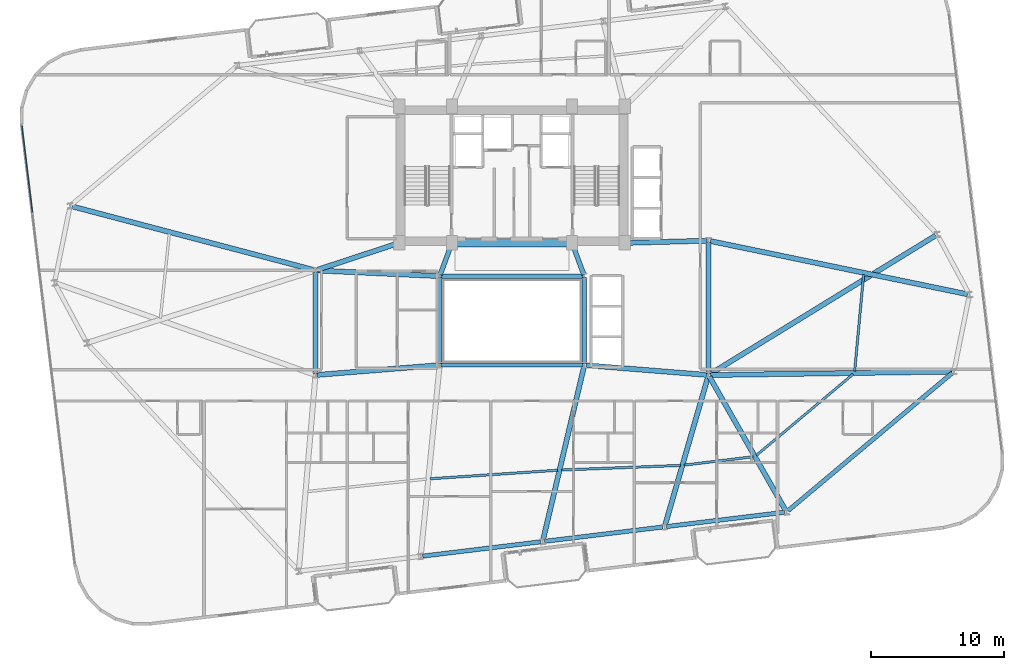
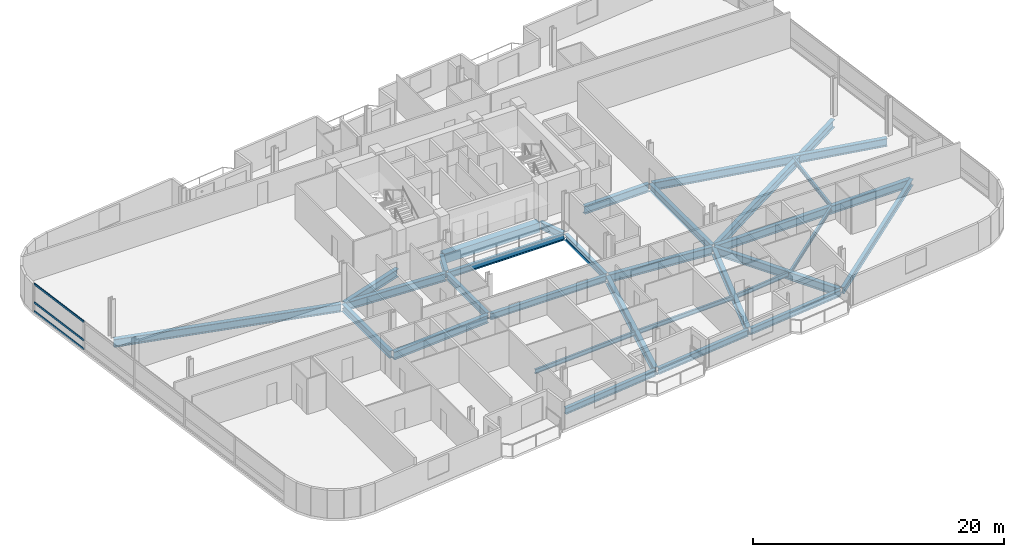
# One storey, part 7 of 23: 30 beams, 3 members, 1 element without a shape of its own.
"""IFC4 building model written with IfcOpenShell, lengths in metres."""

from ifc_helpers import new_model, si_unit, direction, frame, origin, origin_2d, place, context, subcontext, project, spatial, rectangle, hollow_rectangle, i_section, extrude, material, layer, layer_set, material_profile, profile_set, type_object, element, aggregate, save


model = new_model("IFC4")

# Units and contexts
model_context = context("Model", 3, precision=1e-05, world=origin(), true_north=direction((0.0, 1.0)))
body_context = subcontext(model_context, "Body", "Model", "MODEL_VIEW")
ifc_project = project(units=[si_unit("LENGTHUNIT", "METRE"), si_unit("AREAUNIT", "SQUARE_METRE"), si_unit("VOLUMEUNIT", "CUBIC_METRE"), si_unit("PLANEANGLEUNIT", "RADIAN"), si_unit("MASSUNIT", "GRAM", prefix="KILO")], contexts=[model_context])

# Site, building, storey
site_placement = place(None, origin())
site = spatial("IfcSite", under=ifc_project, at=site_placement, CompositionType="ELEMENT")
building_placement = place(site_placement, origin())
building = spatial("IfcBuilding", under=site, at=building_placement, Name="Varnelok Gate Tower", CompositionType="ELEMENT")
storey_placement = place(building_placement, frame((0.0, 0.0, 170.89990234375)))
storey = spatial("IfcBuildingStorey", under=building, at=storey_placement, Name="L43", CompositionType="ELEMENT", Elevation=170.89990234375)

# Beams
ifc_material_1 = material(Name="Structural Steel ASTM A992 Grade 50", Category="steel")
ifc_material_profile_1 = material_profile(ifc_material_1, i_section(OverallWidth=0.180908203125, OverallDepth=0.4169921875, WebThickness=0.010986328125, FlangeThickness=0.018310546875, FilletRadius=0.013916015625, at=origin_2d()), Name="W16X57")
ifc_profile_set_1 = profile_set([ifc_material_profile_1], Name="Structural Steel ASTM A992 Grade 50")
beam_type_1 = type_object("IfcBeamType", Name="BM-JST-W16X57", PredefinedType="JOIST", material=ifc_profile_set_1)
beam_1_placement = place(storey_placement, frame((33.0419921875, 10.989013671875, -0.45849609375), z_axis=(0.997758352588, 0.066919876282, 0.0), x_axis=(-0.066919876282, 0.997758352588, 0.0)))
element("IfcBeam", 1, at=beam_1_placement, inside=storey, type_object=beam_type_1, Name="L43 Sector Floor Joist 2", PredefinedType="JOIST", context=body_context, shape_type="SweptSolid", body=[
    extrude(i_section(OverallWidth=0.180908203125, OverallDepth=0.4169921875, WebThickness=0.010986328125, FlangeThickness=0.018310546875, FilletRadius=0.013916015625, at=origin_2d()), origin(), (0.0, 0.0, 1.0), 9.620361328125),
])
beam_2_placement = place(storey_placement, frame((42.92041015625, 11.6474609375, -0.45849609375), z_axis=(0.999248872436, 0.038751657184, 0.0), x_axis=(-0.038751657184, 0.999248872436, 0.0)))
element("IfcBeam", 2, at=beam_2_placement, inside=storey, type_object=beam_type_1, Name="L43 Sector Floor Joist 3", PredefinedType="JOIST", context=body_context, shape_type="SweptSolid", body=[
    extrude(i_section(OverallWidth=0.180908203125, OverallDepth=0.4169921875, WebThickness=0.010986328125, FlangeThickness=0.018310546875, FilletRadius=0.013916015625, at=origin_2d()), origin(), (0.0, 0.0, 1.0), 8.977783203125),
])
beam_3_placement = place(storey_placement, frame((52.170166015625, 12.017578125, -0.45849609375), z_axis=(0.99273192091, 0.120346720792, 0.0), x_axis=(-0.120346720792, 0.99273192091, 0.0)))
element("IfcBeam", 3, at=beam_3_placement, inside=storey, type_object=beam_type_1, Name="L43 Sector Floor Joist 4", PredefinedType="JOIST", context=body_context, shape_type="SweptSolid", body=[
    extrude(i_section(OverallWidth=0.180908203125, OverallDepth=0.4169921875, WebThickness=0.010986328125, FlangeThickness=0.018310546875, FilletRadius=0.013916015625, at=origin_2d()), origin(), (0.0, 0.0, 1.0), 5.223876953125),
])
beam_4_placement = place(storey_placement, frame((57.602294921875, 12.7529296875, -0.45849609375), z_axis=(0.766087132605, 0.642736730908, 0.0), x_axis=(-0.642736730908, 0.766087132605, 0.0)))
element("IfcBeam", 4, at=beam_4_placement, inside=storey, type_object=beam_type_1, Name="L43 Sector Floor Joist 5", PredefinedType="JOIST", context=body_context, shape_type="SweptSolid", body=[
    extrude(i_section(OverallWidth=0.180908203125, OverallDepth=0.4169921875, WebThickness=0.010986328125, FlangeThickness=0.018310546875, FilletRadius=0.013916015625, at=origin_2d()), origin(), (0.0, 0.0, 1.0), 9.50830078125),
])
beam_5_placement = place(storey_placement, frame((65.006591796875, 19.09375, -0.45849609375), z_axis=(0.092459859055, 0.995716412672, 0.0), x_axis=(-0.995716412672, 0.092459859055, 0.0)))
element("IfcBeam", 5, at=beam_5_placement, inside=storey, type_object=beam_type_1, Name="L43 Sector Floor Joist 6", PredefinedType="JOIST", context=body_context, shape_type="SweptSolid", body=[
    extrude(i_section(OverallWidth=0.180908203125, OverallDepth=0.4169921875, WebThickness=0.010986328125, FlangeThickness=0.018310546875, FilletRadius=0.013916015625, at=origin_2d()), origin(), (0.0, 0.0, 1.0), 7.29833984375),
])
ifc_material_2 = material(Name="Concrete C60/75", Category="concrete")
ifc_material_profile_2 = material_profile(ifc_material_2, rectangle(XDim=0.60009765625, YDim=0.949951171875, at=origin_2d()), Name="RC950X600")
ifc_profile_set_2 = profile_set([ifc_material_profile_2], Name="Concrete C60/75")
beam_type_2 = type_object("IfcBeamType", Name="BM-LNT-RC950", PredefinedType="LINTEL", material=ifc_profile_set_2)
beam_6_placement = place(storey_placement, frame((34.800048828125, 28.75, -0.724853515625), z_axis=(1.0, 0.0, 0.0), x_axis=(0.0, 1.0, 0.0)))
element("IfcBeam", 6, at=beam_6_placement, inside=storey, type_object=beam_type_2, Name="L43 Core-Atrium Spine Beam 7", PredefinedType="LINTEL", context=body_context, shape_type="SweptSolid", body=[
    extrude(rectangle(XDim=0.60009765625, YDim=0.949951171875, at=origin_2d()), origin(), (0.0, 0.0, 1.0), 8.800048828125),
])
ifc_material_profile_3 = material_profile(ifc_material_1, i_section(OverallWidth=0.35498046875, OverallDepth=0.696044921875, WebThickness=0.015380859375, FlangeThickness=0.02490234375, FilletRadius=0.02001953125, at=origin_2d()), Name="W27X146")
ifc_profile_set_3 = profile_set([ifc_material_profile_3], Name="Structural Steel ASTM A992 Grade 50")
beam_type_3 = type_object("IfcBeamType", Name="BM-PRI-W27X146", PredefinedType="BEAM", material=ifc_profile_set_3)
for number, where, z_axis, x_axis, name in (
    (7, (33.791748046875, 26.362548828125, -0.597900390625), (0.348719329408, 0.937227202602, 0.0), (-0.937227202602, 0.348719329408, 0.0), "L43 Core-Atrium Spine Beam 12"),
    (8, (44.608154296875, 26.362548828125, -0.597900390625), (-0.348719329408, 0.937227202602, 0.0), (-0.937227202602, -0.348719329408, 0.0), "L43 Core-Atrium Spine Beam 13"),
):
    element("IfcBeam", number, at=place(storey_placement, frame(where, z_axis=z_axis, x_axis=x_axis)), inside=storey, type_object=beam_type_3, Name=name, PredefinedType="BEAM", context=body_context, shape_type="SweptSolid", body=[
        extrude(i_section(OverallWidth=0.35498046875, OverallDepth=0.696044921875, WebThickness=0.015380859375, FlangeThickness=0.02490234375, FilletRadius=0.02001953125, at=origin_2d()), origin(), (0.0, 0.0, 1.0), 2.42724609375),
    ])
beam_7_placement = place(storey_placement, frame((24.39990234375, 18.919921875, -0.597900390625), z_axis=(0.0, 1.0, 0.0), x_axis=(-1.0, 0.0, 0.0)))
element("IfcBeam", 9, at=beam_7_placement, inside=storey, type_object=beam_type_3, Name="L43 Core-Atrium Spine Beam 16", PredefinedType="BEAM", context=body_context, shape_type="SweptSolid", body=[
    extrude(i_section(OverallWidth=0.35498046875, OverallDepth=0.696044921875, WebThickness=0.015380859375, FlangeThickness=0.02490234375, FilletRadius=0.02001953125, at=origin_2d()), origin(), (0.0, 0.0, 1.0), 7.64013671875),
])
beam_8_placement = place(storey_placement, frame((54.0, 18.919921875, -0.597900390625), z_axis=(0.0, 1.0, 0.0), x_axis=(-1.0, 0.0, 0.0)))
element("IfcBeam", 10, at=beam_8_placement, inside=storey, type_object=beam_type_3, Name="L43 Core-Atrium Spine Beam 20", PredefinedType="BEAM", context=body_context, shape_type="SweptSolid", body=[
    extrude(i_section(OverallWidth=0.35498046875, OverallDepth=0.696044921875, WebThickness=0.015380859375, FlangeThickness=0.02490234375, FilletRadius=0.02001953125, at=origin_2d()), origin(), (0.0, 0.0, 1.0), 9.880126953125),
])
ifc_material_profile_4 = material_profile(ifc_material_1, i_section(OverallWidth=0.381103515625, OverallDepth=0.77294921875, WebThickness=0.0166015625, FlangeThickness=0.027099609375, FilletRadius=0.02197265625, at=origin_2d()), Name="W30X173")
ifc_profile_set_4 = profile_set([ifc_material_profile_4], Name="Structural Steel ASTM A992 Grade 50")
beam_type_4 = type_object("IfcBeamType", Name="BM-PRI-W30X173", PredefinedType="BEAM", material=ifc_profile_set_4)
beam_9_placement = place(storey_placement, frame((24.51953125, 18.8095703125, -0.636474609375), z_axis=(0.996799206292, 0.07994587128, 0.0), x_axis=(-0.07994587128, 0.996799206292, 0.0)))
element("IfcBeam", 11, at=beam_9_placement, inside=storey, type_object=beam_type_4, Name="L43 Core-Atrium Spine Beam 14", PredefinedType="BEAM", context=body_context, shape_type="SweptSolid", body=[
    extrude(i_section(OverallWidth=0.381103515625, OverallDepth=0.77294921875, WebThickness=0.0166015625, FlangeThickness=0.027099609375, FilletRadius=0.02197265625, at=origin_2d()), origin(), (0.0, 0.0, 1.0), 9.14013671875),
])
beam_10_placement = place(storey_placement, frame((24.52001953125, 26.674560546875, -0.636474609375), z_axis=(0.99894427814, -0.045938319209, 0.0), x_axis=(0.045938319209, 0.99894427814, 0.0)))
element("IfcBeam", 12, at=beam_10_placement, inside=storey, type_object=beam_type_4, Name="L43 Core-Atrium Spine Beam 15", PredefinedType="BEAM", context=body_context, shape_type="SweptSolid", body=[
    extrude(i_section(OverallWidth=0.381103515625, OverallDepth=0.77294921875, WebThickness=0.0166015625, FlangeThickness=0.027099609375, FilletRadius=0.02197265625, at=origin_2d()), origin(), (0.0, 0.0, 1.0), 9.11962890625),
])
beam_11_placement = place(storey_placement, frame((24.513916015625, 26.717529296875, -0.636474609375), z_axis=(0.950041943788, 0.312122259768, 0.0), x_axis=(-0.312122259768, 0.950041943788, 0.0)))
element("IfcBeam", 13, at=beam_11_placement, inside=storey, type_object=beam_type_4, Name="L43 Core-Atrium Spine Beam 17", PredefinedType="BEAM", context=body_context, shape_type="SweptSolid", body=[
    extrude(i_section(OverallWidth=0.381103515625, OverallDepth=0.77294921875, WebThickness=0.0166015625, FlangeThickness=0.027099609375, FilletRadius=0.02197265625, at=origin_2d()), origin(), (0.0, 0.0, 1.0), 6.391357421875),
])
beam_12_placement = place(storey_placement, frame((44.76953125, 19.540283203125, -0.636474609375), z_axis=(0.996799206292, -0.07994587128, 0.0), x_axis=(0.07994587128, 0.996799206292, 0.0)))
element("IfcBeam", 14, at=beam_12_placement, inside=storey, type_object=beam_type_4, Name="L43 Core-Atrium Spine Beam 18", PredefinedType="BEAM", context=body_context, shape_type="SweptSolid", body=[
    extrude(i_section(OverallWidth=0.381103515625, OverallDepth=0.77294921875, WebThickness=0.0166015625, FlangeThickness=0.027099609375, FilletRadius=0.02197265625, at=origin_2d()), origin(), (0.0, 0.0, 1.0), 9.14013671875),
])
beam_13_placement = place(storey_placement, frame((47.820068359375, 28.753173828125, -0.636474609375), z_axis=(0.999635880609, 0.026983443053, 0.0), x_axis=(-0.026983443053, 0.999635880609, 0.0)))
element("IfcBeam", 15, at=beam_13_placement, inside=storey, type_object=beam_type_4, Name="L43 Core-Atrium Spine Beam 19", PredefinedType="BEAM", context=body_context, shape_type="SweptSolid", body=[
    extrude(i_section(OverallWidth=0.381103515625, OverallDepth=0.77294921875, WebThickness=0.0166015625, FlangeThickness=0.027099609375, FilletRadius=0.02197265625, at=origin_2d()), origin(), (0.0, 0.0, 1.0), 6.06201171875),
])
beam_14_placement = place(storey_placement, frame((44.615478515625, 19.404052734375, -0.636474609375), z_axis=(-0.230051892852, -0.973178363197, 0.0), x_axis=(0.973178363197, -0.230051892852, 0.0)))
element("IfcBeam", 16, at=beam_14_placement, inside=storey, type_object=beam_type_4, Name="L43 Radial Floor Girder 3", PredefinedType="BEAM", context=body_context, shape_type="SweptSolid", body=[
    extrude(i_section(OverallWidth=0.381103515625, OverallDepth=0.77294921875, WebThickness=0.0166015625, FlangeThickness=0.027099609375, FilletRadius=0.02197265625, at=origin_2d()), origin(), (0.0, 0.0, 1.0), 13.356689453125),
])
beam_15_placement = place(storey_placement, frame((53.958251953125, 18.656005859375, -0.636474609375), z_axis=(-0.278139351158, -0.960540733825, 0.0), x_axis=(0.960540733825, -0.278139351158, 0.0)))
element("IfcBeam", 17, at=beam_15_placement, inside=storey, type_object=beam_type_4, Name="L43 Radial Floor Girder 4", PredefinedType="BEAM", context=body_context, shape_type="SweptSolid", body=[
    extrude(i_section(OverallWidth=0.381103515625, OverallDepth=0.77294921875, WebThickness=0.0166015625, FlangeThickness=0.027099609375, FilletRadius=0.02197265625, at=origin_2d()), origin(), (0.0, 0.0, 1.0), 11.596923828125),
])
beam_16_placement = place(storey_placement, frame((54.07421875, 18.669677734375, -0.636474609375), z_axis=(0.494868053933, -0.868968128988, 0.0), x_axis=(0.868968128988, 0.494868053933, 0.0)))
element("IfcBeam", 18, at=beam_16_placement, inside=storey, type_object=beam_type_4, Name="L43 Radial Floor Girder 5", PredefinedType="BEAM", context=body_context, shape_type="SweptSolid", body=[
    extrude(i_section(OverallWidth=0.381103515625, OverallDepth=0.77294921875, WebThickness=0.0166015625, FlangeThickness=0.027099609375, FilletRadius=0.02197265625, at=origin_2d()), origin(), (0.0, 0.0, 1.0), 11.5693359375),
])
beam_17_placement = place(storey_placement, frame((54.14990234375, 18.802001953125, -0.636474609375), z_axis=(0.999901514109, 0.014034318056, 0.0), x_axis=(-0.014034318056, 0.999901514109, 0.0)))
element("IfcBeam", 19, at=beam_17_placement, inside=storey, type_object=beam_type_4, Name="L43 Radial Floor Girder 6", PredefinedType="BEAM", context=body_context, shape_type="SweptSolid", body=[
    extrude(i_section(OverallWidth=0.381103515625, OverallDepth=0.77294921875, WebThickness=0.0166015625, FlangeThickness=0.027099609375, FilletRadius=0.02197265625, at=origin_2d()), origin(), (0.0, 0.0, 1.0), 18.1787109375),
])
beam_18_placement = place(storey_placement, frame((54.14697265625, 28.8896484375, -0.636474609375), z_axis=(0.979255265667, -0.202630512665, 0.0), x_axis=(0.202630512665, 0.979255265667, 0.0)))
element("IfcBeam", 20, at=beam_18_placement, inside=storey, type_object=beam_type_4, Name="L43 Radial Floor Girder 7", PredefinedType="BEAM", context=body_context, shape_type="SweptSolid", body=[
    extrude(i_section(OverallWidth=0.381103515625, OverallDepth=0.77294921875, WebThickness=0.0166015625, FlangeThickness=0.027099609375, FilletRadius=0.02197265625, at=origin_2d()), origin(), (0.0, 0.0, 1.0), 19.7705078125),
])
beam_19_placement = place(storey_placement, frame((54.127685546875, 18.87841796875, -0.636474609375), z_axis=(0.852014595228, 0.523518031703, 0.0), x_axis=(-0.523518031703, 0.852014595228, 0.0)))
element("IfcBeam", 21, at=beam_19_placement, inside=storey, type_object=beam_type_4, Name="L43 Radial Floor Girder 8", PredefinedType="BEAM", context=body_context, shape_type="SweptSolid", body=[
    extrude(i_section(OverallWidth=0.381103515625, OverallDepth=0.77294921875, WebThickness=0.0166015625, FlangeThickness=0.027099609375, FilletRadius=0.02197265625, at=origin_2d()), origin(), (0.0, 0.0, 1.0), 19.917236328125),
])
beam_20_placement = place(storey_placement, frame((24.2548828125, 26.71826171875, -0.636474609375), z_axis=(-0.967098244451, 0.254403194908, 0.0), x_axis=(-0.254403194908, -0.967098244451, 0.0)))
element("IfcBeam", 22, at=beam_20_placement, inside=storey, type_object=beam_type_4, Name="L43 Radial Floor Girder 14", PredefinedType="BEAM", context=body_context, shape_type="SweptSolid", body=[
    extrude(i_section(OverallWidth=0.381103515625, OverallDepth=0.77294921875, WebThickness=0.0166015625, FlangeThickness=0.027099609375, FilletRadius=0.02197265625, at=origin_2d()), origin(), (0.0, 0.0, 1.0), 18.805419921875),
])
ifc_material_profile_5 = material_profile(ifc_material_1, i_section(OverallWidth=0.323974609375, OverallDepth=0.611083984375, WebThickness=0.0126953125, FlangeThickness=0.01904296875, FilletRadius=0.01806640625, at=origin_2d()), Name="W24X104")
ifc_profile_set_5 = profile_set([ifc_material_profile_5], Name="Structural Steel ASTM A992 Grade 50")
beam_type_5 = type_object("IfcBeamType", Name="BM-SPN-W24X104", PredefinedType="SPANDREL", material=ifc_profile_set_5)
for number, where, z_axis, x_axis, name in (
    (23, (33.8701171875, 19.550048828125, -0.555419921875), (1.0, 0.0, 0.0), (0.0, 1.0, 0.0), "L43 Core-Atrium Spine Beam 8"),
    (24, (33.8701171875, 26.25, -0.555419921875), (1.0, 0.0, 0.0), (0.0, 1.0, 0.0), "L43 Core-Atrium Spine Beam 9"),
):
    element("IfcBeam", number, at=place(storey_placement, frame(where, z_axis=z_axis, x_axis=x_axis)), inside=storey, type_object=beam_type_5, Name=name, PredefinedType="SPANDREL", context=body_context, shape_type="SweptSolid", body=[
        extrude(i_section(OverallWidth=0.323974609375, OverallDepth=0.611083984375, WebThickness=0.0126953125, FlangeThickness=0.01904296875, FilletRadius=0.01806640625, at=origin_2d()), origin(), (0.0, 0.0, 1.0), 10.659912109375),
    ])
for number, where, z_axis, x_axis, name in (
    (25, (33.75, 19.669921875, -0.555419921875), (0.0, 1.0, 0.0), (-1.0, 0.0, 0.0), "L43 Core-Atrium Spine Beam 10"),
    (26, (44.64990234375, 19.669921875, -0.555419921875), (0.0, 1.0, 0.0), (-1.0, 0.0, 0.0), "L43 Core-Atrium Spine Beam 11"),
):
    element("IfcBeam", number, at=place(storey_placement, frame(where, z_axis=z_axis, x_axis=x_axis)), inside=storey, type_object=beam_type_5, Name=name, PredefinedType="SPANDREL", context=body_context, shape_type="SweptSolid", body=[
        extrude(i_section(OverallWidth=0.323974609375, OverallDepth=0.611083984375, WebThickness=0.0126953125, FlangeThickness=0.01904296875, FilletRadius=0.01806640625, at=origin_2d()), origin(), (0.0, 0.0, 1.0), 6.4599609375),
    ])
for number, where, z_axis, x_axis, name in (
    (27, (32.474365234375, 5.164306640625, -0.555419921875), (0.992734670707, 0.120324035735, 0.0), (-0.120324035735, 0.992734670707, 0.0), "L43 Perimeter Spandrel Beam 2"),
    (28, (41.656982421875, 6.277587890625, -0.555419921875), (0.992734670707, 0.120324035735, 0.0), (-0.120324035735, 0.992734670707, 0.0), "L43 Perimeter Spandrel Beam 3"),
    (29, (50.83984375, 7.390625, -0.555419921875), (0.99273141198, 0.120350918849, 0.0), (-0.120350918849, 0.99273141198, 0.0), "L43 Perimeter Spandrel Beam 4"),
):
    element("IfcBeam", number, at=place(storey_placement, frame(where, z_axis=z_axis, x_axis=x_axis)), inside=storey, type_object=beam_type_5, Name=name, PredefinedType="SPANDREL", context=body_context, shape_type="SweptSolid", body=[
        extrude(i_section(OverallWidth=0.323974609375, OverallDepth=0.611083984375, WebThickness=0.0126953125, FlangeThickness=0.01904296875, FilletRadius=0.01806640625, at=origin_2d()), origin(), (0.0, 0.0, 1.0), 8.949951171875),
    ])
beam_21_placement = place(storey_placement, frame((59.98876953125, 8.582275390625, -0.555419921875), z_axis=(0.766099582792, 0.642721891059, 0.0), x_axis=(-0.642721891059, 0.766099582792, 0.0)))
element("IfcBeam", 30, at=beam_21_placement, inside=storey, type_object=beam_type_5, Name="L43 Perimeter Spandrel Beam 5", PredefinedType="SPANDREL", context=body_context, shape_type="SweptSolid", body=[
    extrude(i_section(OverallWidth=0.323974609375, OverallDepth=0.611083984375, WebThickness=0.0126953125, FlangeThickness=0.01904296875, FilletRadius=0.01806640625, at=origin_2d()), origin(), (0.0, 0.0, 1.0), 16.151123046875),
])

# Curtain wall, members
ifc_material_3 = material(Name="Anodized Aluminum Alloy 6063-T6", Category="aluminium")
ifc_layer = layer(ifc_material_3, 0.179931640625)
ifc_layer_set = layer_set([ifc_layer], Name="Anodized Aluminum Alloy 6063-T6")
curtain_wall_type = type_object("IfcCurtainWallType", Name="CW4-RESIDENCE-VISION", PredefinedType="USERDEFINED", material=ifc_layer_set)
curtain_wall_placement = place(storey_placement, origin())
curtain_wall = element("IfcCurtainWall", 31, at=curtain_wall_placement, inside=storey, type_object=curtain_wall_type, Name="L43 West End Vision Curtain Wall", ObjectType="UNITISED CURTAIN WALL", PredefinedType="USERDEFINED")
ifc_material_profile_6 = material_profile(ifc_material_3, hollow_rectangle(XDim=0.074951171875, YDim=0.199951171875, WallThickness=0.00390625, at=origin_2d()), Name="ALU200X75X4")
ifc_profile_set_6 = profile_set([ifc_material_profile_6], Name="Anodized Aluminum Alloy 6063-T6")
member_type = type_object("IfcMemberType", Name="CW-TRAN-200", PredefinedType="USERDEFINED", material=ifc_profile_set_6)
member_1_placement = place(storey_placement, frame((3.085205078125, 31.052978515625, 0.03759765625), z_axis=(-0.120332477695, 0.992733647466, 0.0), x_axis=(-0.992733647466, -0.120332477695, 0.0)))
member_1 = element("IfcMember", 32, at=member_1_placement, type_object=member_type, Name="CW4 transom 5.1", ObjectType="TRANSOM", PredefinedType="USERDEFINED", context=body_context, shape_type="SweptSolid", body=[
    extrude(hollow_rectangle(XDim=0.074951171875, YDim=0.199951171875, WallThickness=0.00390625, at=origin_2d()), origin(), (0.0, 0.0, 1.0), 6.5673828125),
])
member_2_placement = place(storey_placement, frame((3.085205078125, 31.052978515625, 0.900146484375), z_axis=(-0.120332477695, 0.992733647466, 0.0), x_axis=(-0.992733647466, -0.120332477695, 0.0)))
member_2 = element("IfcMember", 33, at=member_2_placement, type_object=member_type, Name="CW4 transom 5.2", ObjectType="TRANSOM", PredefinedType="USERDEFINED", context=body_context, shape_type="SweptSolid", body=[
    extrude(hollow_rectangle(XDim=0.074951171875, YDim=0.199951171875, WallThickness=0.00390625, at=origin_2d()), origin(), (0.0, 0.0, 1.0), 6.5673828125),
])
member_3_placement = place(storey_placement, frame((3.085205078125, 31.052978515625, 2.692626953125), z_axis=(-0.120332477695, 0.992733647466, 0.0), x_axis=(-0.992733647466, -0.120332477695, 0.0)))
member_3 = element("IfcMember", 34, at=member_3_placement, type_object=member_type, Name="CW4 transom 5.3", ObjectType="TRANSOM", PredefinedType="USERDEFINED", context=body_context, shape_type="SweptSolid", body=[
    extrude(hollow_rectangle(XDim=0.074951171875, YDim=0.199951171875, WallThickness=0.00390625, at=origin_2d()), origin(), (0.0, 0.0, 1.0), 6.5673828125),
])
aggregate(curtain_wall, [member_1, member_2, member_3])

save(model, "model.ifc")
